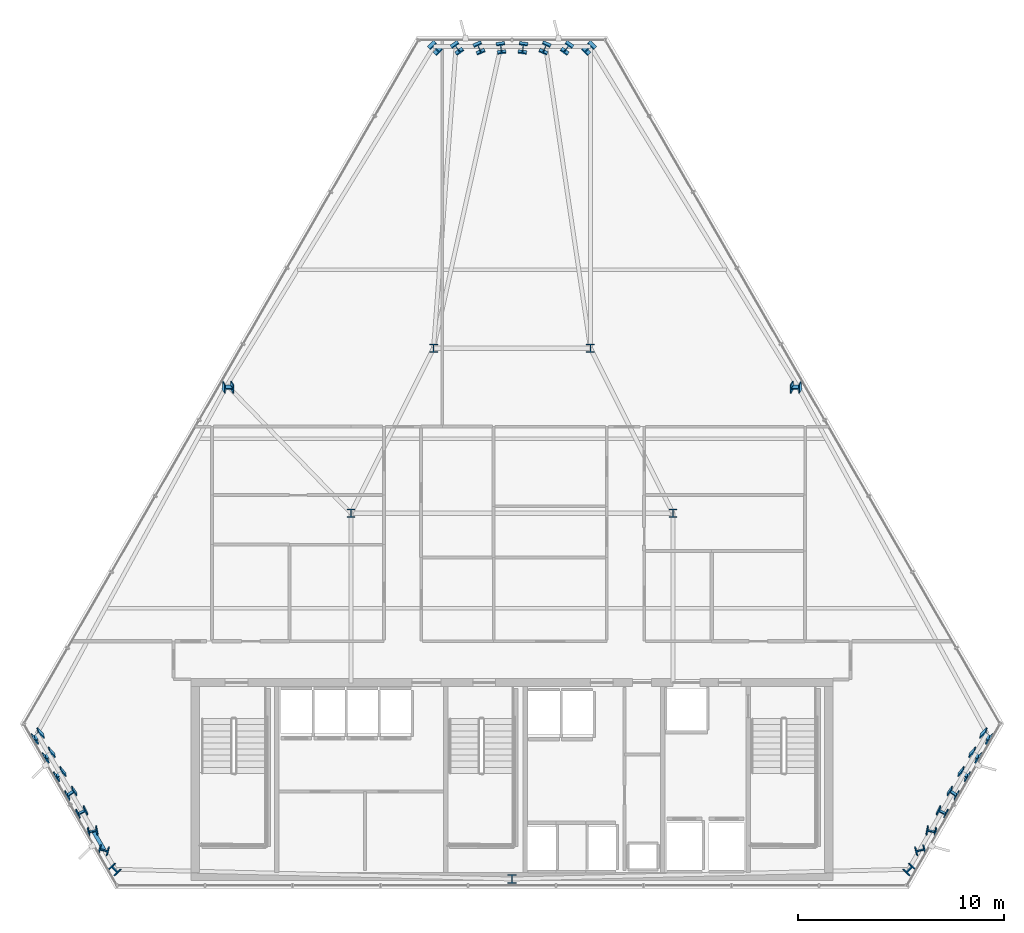
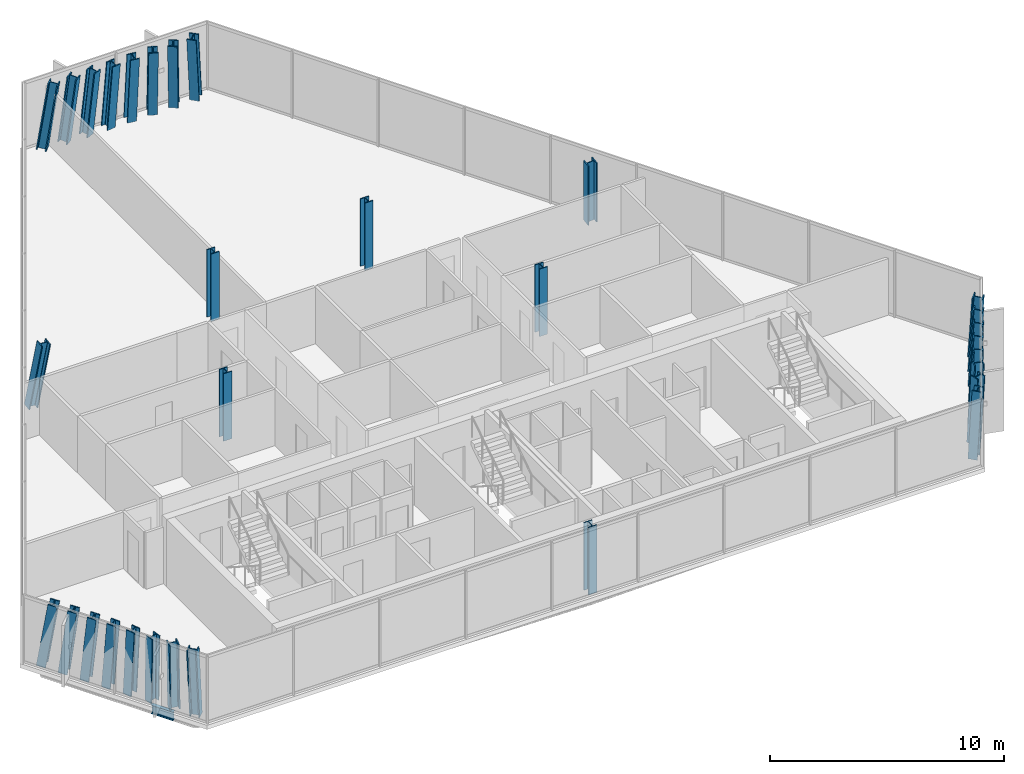
# One storey, part 1 of 34: 31 columns, 1 beam.
"""IFC4 building model written with IfcOpenShell, lengths in metres."""

from ifc_helpers import new_model, si_unit, direction, frame, origin, origin_2d, place, context, subcontext, project, spatial, i_section, extrude, material, material_profile, profile_set, type_object, element, save


model = new_model("IFC4")

# Units and contexts
model_context = context("Model", 3, precision=1e-05, world=origin(), true_north=direction((0.0, 1.0)))
body_context = subcontext(model_context, "Body", "Model", "MODEL_VIEW")
ifc_project = project(units=[si_unit("LENGTHUNIT", "METRE"), si_unit("AREAUNIT", "SQUARE_METRE"), si_unit("VOLUMEUNIT", "CUBIC_METRE"), si_unit("PLANEANGLEUNIT", "RADIAN"), si_unit("MASSUNIT", "GRAM", prefix="KILO")], contexts=[model_context])

# Site, building, storey
site_placement = place(None, origin())
site = spatial("IfcSite", under=ifc_project, at=site_placement, CompositionType="ELEMENT")
building_placement = place(site_placement, origin())
building = spatial("IfcBuilding", under=site, at=building_placement, Name="Ndaravel Arena Tower", CompositionType="ELEMENT")
storey_placement = place(building_placement, frame((0.0, 0.0, 199.199951171875)))
storey = spatial("IfcBuildingStorey", under=building, at=storey_placement, Name="L48", CompositionType="ELEMENT", Elevation=199.199951171875)

# Columns
ifc_material_1 = material(Name="Steel S355", Category="steel")
ifc_material_profile_1 = material_profile(ifc_material_1, i_section(OverallWidth=0.406982421875, OverallDepth=0.4189453125, WebThickness=0.030517578125, FlangeThickness=0.04931640625, FilletRadius=0.01513671875, at=origin_2d()), Name="UC 356x406x393")
ifc_profile_set_1 = profile_set([ifc_material_profile_1], Name="Steel S355")
column_type_1 = type_object("IfcColumnType", Name="COL-INT-UC393", PredefinedType="COLUMN", material=ifc_profile_set_1)
for number, where, z_axis, x_axis, name in (
    (1, (34.199951171875, 23.199951171875, 0.0), (0.0, 0.0, 1.0), (1.0, 0.0, 0.0), "L48 Interior Spine Column IC-01"),
    (2, (49.800048828125, 23.199951171875, 0.0), (0.0, 0.0, 1.0), (1.0, 0.0, 0.0), "L48 Interior Spine Column IC-02"),
    (3, (38.199951171875, 31.199951171875, 0.0), (0.0, 0.0, 1.0), (1.0, 0.0, 0.0), "L48 Interior Spine Column IC-03"),
    (4, (45.800048828125, 31.199951171875, 0.0), (0.0, 0.0, 1.0), (1.0, 0.0, 0.0), "L48 Interior Spine Column IC-04"),
):
    element("IfcColumn", number, at=place(storey_placement, frame(where, z_axis=z_axis, x_axis=x_axis)), inside=storey, type_object=column_type_1, Name=name, PredefinedType="COLUMN", context=body_context, shape_type="SweptSolid", body=[
        extrude(i_section(OverallWidth=0.406982421875, OverallDepth=0.4189453125, WebThickness=0.030517578125, FlangeThickness=0.04931640625, FilletRadius=0.01513671875, at=origin_2d()), origin(), (0.0, 0.0, 1.0), 3.52001953125),
    ])
ifc_material_2 = material(Name="Steel S355", Category="steel")
ifc_material_profile_2 = material_profile(ifc_material_2, i_section(OverallWidth=0.41796875, OverallDepth=0.455078125, WebThickness=0.0419921875, FlangeThickness=0.052001953125, FilletRadius=0.014892578125, at=origin_2d()), Name="HD 400x551")
ifc_profile_set_2 = profile_set([ifc_material_profile_2], Name="Steel S355")
column_type_2 = type_object("IfcColumnType", Name="COL-TUBE-HD551", PredefinedType="COLUMN", material=ifc_profile_set_2)
column_1_placement = place(storey_placement, frame((42.0, 5.47998046875, 0.0), z_axis=(0.0, 0.0, 1.0), x_axis=(1.0, 0.0, 0.0)))
element("IfcColumn", 5, at=column_1_placement, inside=storey, type_object=column_type_2, Name="L48 Framed Tube Column TC-01", PredefinedType="COLUMN", context=body_context, shape_type="SweptSolid", body=[
    extrude(i_section(OverallWidth=0.41796875, OverallDepth=0.455078125, WebThickness=0.0419921875, FlangeThickness=0.052001953125, FilletRadius=0.014892578125, at=origin_2d()), origin(), (0.0, 0.0, 1.0), 3.52001953125),
])
for number, where, z_axis, x_axis, name in (
    (6, (61.215087890625, 5.94970703125, 0.0), (0.05166751825, -0.012812990451, 0.998582142257), (-0.719023233471, 0.693455341643, 0.046100747009), "L48 Framed Tube Column TC-02"),
    (7, (61.75732421875, 6.888916015625, 0.0), (0.036846075758, -0.038369785658, 0.998584060683), (-0.238353067324, 0.970085259132, 0.046069570355), "L48 Framed Tube Column TC-03"),
):
    element("IfcColumn", number, at=place(storey_placement, frame(where, z_axis=z_axis, x_axis=x_axis)), inside=storey, type_object=column_type_2, Name=name, PredefinedType="COLUMN", context=body_context, shape_type="SweptSolid", body=[
        extrude(i_section(OverallWidth=0.41796875, OverallDepth=0.455078125, WebThickness=0.0419921875, FlangeThickness=0.052001953125, FilletRadius=0.014892578125, at=origin_2d()), origin(), (0.0, 0.0, 1.0), 3.52490234375),
    ])
column_2_placement = place(storey_placement, frame((62.2998046875, 7.828125, 0.0), z_axis=(0.02200537774, -0.063870954887, 0.997715522818), x_axis=(0.19127696942, 0.979790956951, 0.058504714731)))
element("IfcColumn", 8, at=column_2_placement, inside=storey, type_object=column_type_2, Name="L48 Framed Tube Column TC-04", PredefinedType="COLUMN", context=body_context, shape_type="SweptSolid", body=[
    extrude(i_section(OverallWidth=0.41796875, OverallDepth=0.455078125, WebThickness=0.0419921875, FlangeThickness=0.052001953125, FilletRadius=0.014892578125, at=origin_2d()), origin(), (0.0, 0.0, 1.0), 3.528076171875),
])
column_3_placement = place(storey_placement, frame((62.842041015625, 8.767333984375, 0.0), z_axis=(0.007253308124, -0.089250229494, 0.995982824178), x_axis=(0.428488720122, 0.900213172682, 0.077547794666)))
element("IfcColumn", 9, at=column_3_placement, inside=storey, type_object=column_type_2, Name="L48 Framed Tube Column TC-05", PredefinedType="COLUMN", context=body_context, shape_type="SweptSolid", body=[
    extrude(i_section(OverallWidth=0.41796875, OverallDepth=0.455078125, WebThickness=0.0419921875, FlangeThickness=0.052001953125, FilletRadius=0.014892578125, at=origin_2d()), origin(), (0.0, 0.0, 1.0), 3.5341796875),
])
column_4_placement = place(storey_placement, frame((63.38427734375, 9.706787109375, 0.0), z_axis=(-0.007441095581, -0.114579092144, 0.993386260092), x_axis=(0.554701690073, 0.826086091963, 0.099437436084)))
element("IfcColumn", 10, at=column_4_placement, inside=storey, type_object=column_type_2, Name="L48 Framed Tube Column TC-06", PredefinedType="COLUMN", context=body_context, shape_type="SweptSolid", body=[
    extrude(i_section(OverallWidth=0.41796875, OverallDepth=0.455078125, WebThickness=0.0419921875, FlangeThickness=0.052001953125, FilletRadius=0.014892578125, at=origin_2d()), origin(), (0.0, 0.0, 1.0), 3.54345703125),
])
column_5_placement = place(storey_placement, frame((63.926513671875, 10.64599609375, 0.0), z_axis=(-0.022040612168, -0.13952188139, 0.989973664311), x_axis=(0.627653089318, 0.768822145552, 0.122327870816)))
element("IfcColumn", 11, at=column_5_placement, inside=storey, type_object=column_type_2, Name="L48 Framed Tube Column TC-07", PredefinedType="COLUMN", context=body_context, shape_type="SweptSolid", body=[
    extrude(i_section(OverallWidth=0.41796875, OverallDepth=0.455078125, WebThickness=0.0419921875, FlangeThickness=0.052001953125, FilletRadius=0.014892578125, at=origin_2d()), origin(), (0.0, 0.0, 1.0), 3.5556640625),
])
column_6_placement = place(storey_placement, frame((64.46875, 11.585205078125, 0.0), z_axis=(-0.036509572716, -0.16415633725, 0.985758463337), x_axis=(0.673413152919, 0.724778956998, 0.145637182647)))
element("IfcColumn", 12, at=column_6_placement, inside=storey, type_object=column_type_2, Name="L48 Framed Tube Column TC-08", PredefinedType="COLUMN", context=body_context, shape_type="SweptSolid", body=[
    extrude(i_section(OverallWidth=0.41796875, OverallDepth=0.455078125, WebThickness=0.0419921875, FlangeThickness=0.052001953125, FilletRadius=0.014892578125, at=origin_2d()), origin(), (0.0, 0.0, 1.0), 3.57080078125),
])
column_7_placement = place(storey_placement, frame((65.010986328125, 12.5244140625, 0.0), z_axis=(-0.050814018212, -0.188426814523, 0.980771773208), x_axis=(0.703908242478, 0.689889947393, 0.169011971938)))
element("IfcColumn", 13, at=column_7_placement, inside=storey, type_object=column_type_2, Name="L48 Framed Tube Column TC-09", PredefinedType="COLUMN", context=body_context, shape_type="SweptSolid", body=[
    extrude(i_section(OverallWidth=0.41796875, OverallDepth=0.455078125, WebThickness=0.0419921875, FlangeThickness=0.052001953125, FilletRadius=0.014892578125, at=origin_2d()), origin(), (0.0, 0.0, 1.0), 3.589111328125),
])
column_8_placement = place(storey_placement, frame((55.810302734375, 29.39990234375, 0.0), z_axis=(-0.087410771988, -0.15139818867, 0.984600398846), x_axis=(-0.006663389941, 0.988450331727, 0.151398616057)))
element("IfcColumn", 14, at=column_8_placement, inside=storey, type_object=column_type_2, Name="L48 Framed Tube Column TC-10", PredefinedType="COLUMN", context=body_context, shape_type="SweptSolid", body=[
    extrude(i_section(OverallWidth=0.41796875, OverallDepth=0.455078125, WebThickness=0.0419921875, FlangeThickness=0.052001953125, FilletRadius=0.014892578125, at=origin_2d()), origin(), (0.0, 0.0, 1.0), 3.5751953125),
])
column_9_placement = place(storey_placement, frame((45.7958984375, 45.805908203125, 0.0), z_axis=(-0.102468341258, -0.101507486082, 0.98954356615), x_axis=(0.703768052668, -0.710429819225, 0.0)))
element("IfcColumn", 15, at=column_9_placement, inside=storey, type_object=column_type_2, Name="L48 Framed Tube Column TC-11", PredefinedType="COLUMN", context=body_context, shape_type="SweptSolid", body=[
    extrude(i_section(OverallWidth=0.41796875, OverallDepth=0.455078125, WebThickness=0.0419921875, FlangeThickness=0.052001953125, FilletRadius=0.014892578125, at=origin_2d()), origin(), (0.0, 0.0, 1.0), 3.55712890625),
])
column_10_placement = place(storey_placement, frame((44.71142578125, 45.805908203125, 0.0), z_axis=(-0.073351273072, -0.101769730651, 0.99210005174), x_axis=(0.811242936175, -0.584709242706, 0.0)))
element("IfcColumn", 16, at=column_10_placement, inside=storey, type_object=column_type_2, Name="L48 Framed Tube Column TC-12", PredefinedType="COLUMN", context=body_context, shape_type="SweptSolid", body=[
    extrude(i_section(OverallWidth=0.41796875, OverallDepth=0.455078125, WebThickness=0.0419921875, FlangeThickness=0.052001953125, FilletRadius=0.014892578125, at=origin_2d()), origin(), (0.0, 0.0, 1.0), 3.548095703125),
])
column_11_placement = place(storey_placement, frame((43.626953125, 45.805908203125, 0.0), z_axis=(-0.044114252599, -0.101945280616, 0.993811396834), x_axis=(0.917759251272, -0.397137201362, 0.0)))
element("IfcColumn", 17, at=column_11_placement, inside=storey, type_object=column_type_2, Name="L48 Framed Tube Column TC-13", PredefinedType="COLUMN", context=body_context, shape_type="SweptSolid", body=[
    extrude(i_section(OverallWidth=0.41796875, OverallDepth=0.455078125, WebThickness=0.0419921875, FlangeThickness=0.052001953125, FilletRadius=0.014892578125, at=origin_2d()), origin(), (0.0, 0.0, 1.0), 3.5419921875),
])
for number, where, z_axis, x_axis, name in (
    (18, (42.542236328125, 45.805908203125, 0.0), (-0.014694494704, -0.102033604071, 0.994672416158), (0.989788240491, -0.142545568103, 0.0), "L48 Framed Tube Column TC-14"),
    (19, (41.457763671875, 45.805908203125, 0.0), (0.014694494704, -0.102033604071, 0.994672416158), (0.989788240491, 0.142545568103, 0.0), "L48 Framed Tube Column TC-15"),
):
    element("IfcColumn", number, at=place(storey_placement, frame(where, z_axis=z_axis, x_axis=x_axis)), inside=storey, type_object=column_type_2, Name=name, PredefinedType="COLUMN", context=body_context, shape_type="SweptSolid", body=[
        extrude(i_section(OverallWidth=0.41796875, OverallDepth=0.455078125, WebThickness=0.0419921875, FlangeThickness=0.052001953125, FilletRadius=0.014892578125, at=origin_2d()), origin(), (0.0, 0.0, 1.0), 3.538818359375),
    ])
column_12_placement = place(storey_placement, frame((40.373046875, 45.805908203125, 0.0), z_axis=(0.044114252599, -0.101945280616, 0.993811396834), x_axis=(0.917759251272, 0.397137201362, 0.0)))
element("IfcColumn", 20, at=column_12_placement, inside=storey, type_object=column_type_2, Name="L48 Framed Tube Column TC-16", PredefinedType="COLUMN", context=body_context, shape_type="SweptSolid", body=[
    extrude(i_section(OverallWidth=0.41796875, OverallDepth=0.455078125, WebThickness=0.0419921875, FlangeThickness=0.052001953125, FilletRadius=0.014892578125, at=origin_2d()), origin(), (0.0, 0.0, 1.0), 3.5419921875),
])
column_13_placement = place(storey_placement, frame((39.28857421875, 45.805908203125, 0.0), z_axis=(0.073351273072, -0.101769730651, 0.99210005174), x_axis=(0.811242936175, 0.584709242706, 0.0)))
element("IfcColumn", 21, at=column_13_placement, inside=storey, type_object=column_type_2, Name="L48 Framed Tube Column TC-17", PredefinedType="COLUMN", context=body_context, shape_type="SweptSolid", body=[
    extrude(i_section(OverallWidth=0.41796875, OverallDepth=0.455078125, WebThickness=0.0419921875, FlangeThickness=0.052001953125, FilletRadius=0.014892578125, at=origin_2d()), origin(), (0.0, 0.0, 1.0), 3.548095703125),
])
column_14_placement = place(storey_placement, frame((38.2041015625, 45.805908203125, 0.0), z_axis=(0.102468341258, -0.101507486082, 0.98954356615), x_axis=(0.703768052668, 0.710429819225, 0.0)))
element("IfcColumn", 22, at=column_14_placement, inside=storey, type_object=column_type_2, Name="L48 Framed Tube Column TC-18", PredefinedType="COLUMN", context=body_context, shape_type="SweptSolid", body=[
    extrude(i_section(OverallWidth=0.41796875, OverallDepth=0.455078125, WebThickness=0.0419921875, FlangeThickness=0.052001953125, FilletRadius=0.014892578125, at=origin_2d()), origin(), (0.0, 0.0, 1.0), 3.55712890625),
])
column_15_placement = place(storey_placement, frame((28.189697265625, 29.400146484375, 0.0), z_axis=(0.087409868064, -0.151464912005, 0.984590216992), x_axis=(0.006860791916, 0.988441374631, 0.15144826989)))
element("IfcColumn", 23, at=column_15_placement, inside=storey, type_object=column_type_2, Name="L48 Framed Tube Column TC-19", PredefinedType="COLUMN", context=body_context, shape_type="SweptSolid", body=[
    extrude(i_section(OverallWidth=0.41796875, OverallDepth=0.455078125, WebThickness=0.0419921875, FlangeThickness=0.052001953125, FilletRadius=0.014892578125, at=origin_2d()), origin(), (0.0, 0.0, 1.0), 3.5751953125),
])
column_16_placement = place(storey_placement, frame((18.989013671875, 12.5244140625, 0.0), z_axis=(0.050814018212, -0.188426814523, 0.980771773208), x_axis=(-0.703908242478, 0.689889947393, 0.169011971938)))
element("IfcColumn", 24, at=column_16_placement, inside=storey, type_object=column_type_2, Name="L48 Framed Tube Column TC-20", PredefinedType="COLUMN", context=body_context, shape_type="SweptSolid", body=[
    extrude(i_section(OverallWidth=0.41796875, OverallDepth=0.455078125, WebThickness=0.0419921875, FlangeThickness=0.052001953125, FilletRadius=0.014892578125, at=origin_2d()), origin(), (0.0, 0.0, 1.0), 3.589111328125),
])
column_17_placement = place(storey_placement, frame((19.53125, 11.585205078125, 0.0), z_axis=(0.036509572716, -0.16415633725, 0.985758463337), x_axis=(-0.673413152919, 0.724778956998, 0.145637182647)))
element("IfcColumn", 25, at=column_17_placement, inside=storey, type_object=column_type_2, Name="L48 Framed Tube Column TC-21", PredefinedType="COLUMN", context=body_context, shape_type="SweptSolid", body=[
    extrude(i_section(OverallWidth=0.41796875, OverallDepth=0.455078125, WebThickness=0.0419921875, FlangeThickness=0.052001953125, FilletRadius=0.014892578125, at=origin_2d()), origin(), (0.0, 0.0, 1.0), 3.57080078125),
])
column_18_placement = place(storey_placement, frame((20.073486328125, 10.64599609375, 0.0), z_axis=(0.022040612168, -0.13952188139, 0.989973664311), x_axis=(-0.627653089318, 0.768822145552, 0.122327870816)))
element("IfcColumn", 26, at=column_18_placement, inside=storey, type_object=column_type_2, Name="L48 Framed Tube Column TC-22", PredefinedType="COLUMN", context=body_context, shape_type="SweptSolid", body=[
    extrude(i_section(OverallWidth=0.41796875, OverallDepth=0.455078125, WebThickness=0.0419921875, FlangeThickness=0.052001953125, FilletRadius=0.014892578125, at=origin_2d()), origin(), (0.0, 0.0, 1.0), 3.5556640625),
])
column_19_placement = place(storey_placement, frame((20.61572265625, 9.706787109375, 0.0), z_axis=(0.007441095581, -0.114579092144, 0.993386260092), x_axis=(-0.554701690073, 0.826086091963, 0.099437436084)))
element("IfcColumn", 27, at=column_19_placement, inside=storey, type_object=column_type_2, Name="L48 Framed Tube Column TC-23", PredefinedType="COLUMN", context=body_context, shape_type="SweptSolid", body=[
    extrude(i_section(OverallWidth=0.41796875, OverallDepth=0.455078125, WebThickness=0.0419921875, FlangeThickness=0.052001953125, FilletRadius=0.014892578125, at=origin_2d()), origin(), (0.0, 0.0, 1.0), 3.54345703125),
])
column_20_placement = place(storey_placement, frame((21.157958984375, 8.767333984375, 0.0), z_axis=(-0.007253308124, -0.089250229494, 0.995982824178), x_axis=(-0.428488720122, 0.900213172682, 0.077547794666)))
element("IfcColumn", 28, at=column_20_placement, inside=storey, type_object=column_type_2, Name="L48 Framed Tube Column TC-24", PredefinedType="COLUMN", context=body_context, shape_type="SweptSolid", body=[
    extrude(i_section(OverallWidth=0.41796875, OverallDepth=0.455078125, WebThickness=0.0419921875, FlangeThickness=0.052001953125, FilletRadius=0.014892578125, at=origin_2d()), origin(), (0.0, 0.0, 1.0), 3.5341796875),
])
column_21_placement = place(storey_placement, frame((21.7001953125, 7.828125, 0.0), z_axis=(-0.02200537774, -0.063870954887, 0.997715522818), x_axis=(-0.19127696942, 0.979790956951, 0.058504714731)))
element("IfcColumn", 29, at=column_21_placement, inside=storey, type_object=column_type_2, Name="L48 Framed Tube Column TC-25", PredefinedType="COLUMN", context=body_context, shape_type="SweptSolid", body=[
    extrude(i_section(OverallWidth=0.41796875, OverallDepth=0.455078125, WebThickness=0.0419921875, FlangeThickness=0.052001953125, FilletRadius=0.014892578125, at=origin_2d()), origin(), (0.0, 0.0, 1.0), 3.528076171875),
])
for number, where, z_axis, x_axis, name in (
    (30, (22.24267578125, 6.888916015625, 0.0), (-0.036846075758, -0.038369785658, 0.998584060683), (0.238353067324, 0.970085259132, 0.046069570355), "L48 Framed Tube Column TC-26"),
    (31, (22.784912109375, 5.94970703125, 0.0), (-0.05166751825, -0.012812990451, 0.998582142257), (0.719023233471, 0.693455341643, 0.046100747009), "L48 Framed Tube Column TC-27"),
):
    element("IfcColumn", number, at=place(storey_placement, frame(where, z_axis=z_axis, x_axis=x_axis)), inside=storey, type_object=column_type_2, Name=name, PredefinedType="COLUMN", context=body_context, shape_type="SweptSolid", body=[
        extrude(i_section(OverallWidth=0.41796875, OverallDepth=0.455078125, WebThickness=0.0419921875, FlangeThickness=0.052001953125, FilletRadius=0.014892578125, at=origin_2d()), origin(), (0.0, 0.0, 1.0), 3.52490234375),
    ])

# Beam
ifc_material_3 = material(Name="Steel S355", Category="steel")
ifc_material_profile_3 = material_profile(ifc_material_3, i_section(OverallWidth=0.18994140625, OverallDepth=0.449951171875, WebThickness=0.009521484375, FlangeThickness=0.0146484375, FilletRadius=0.02099609375, at=origin_2d()), Name="IPE 450")
ifc_profile_set_3 = profile_set([ifc_material_profile_3], Name="Steel S355")
beam_type = type_object("IfcBeamType", Name="BM-SPAN-IPE450", PredefinedType="SPANDREL", material=ifc_profile_set_3)
beam_placement = place(storey_placement, frame((21.7001953125, 7.828125, -0.445068359375), z_axis=(0.50015758769, -0.86593440137, 0.0), x_axis=(0.86593440137, 0.50015758769, 0.0)))
element("IfcBeam", 32, at=beam_placement, inside=storey, type_object=beam_type, Name="L48 Perimeter Spandrel Beam SP-25", PredefinedType="SPANDREL", context=body_context, shape_type="SweptSolid", body=[
    extrude(i_section(OverallWidth=0.18994140625, OverallDepth=0.449951171875, WebThickness=0.009521484375, FlangeThickness=0.0146484375, FilletRadius=0.02099609375, at=origin_2d()), origin(), (0.0, 0.0, 1.0), 1.084716796875),
])

save(model, "model.ifc")
